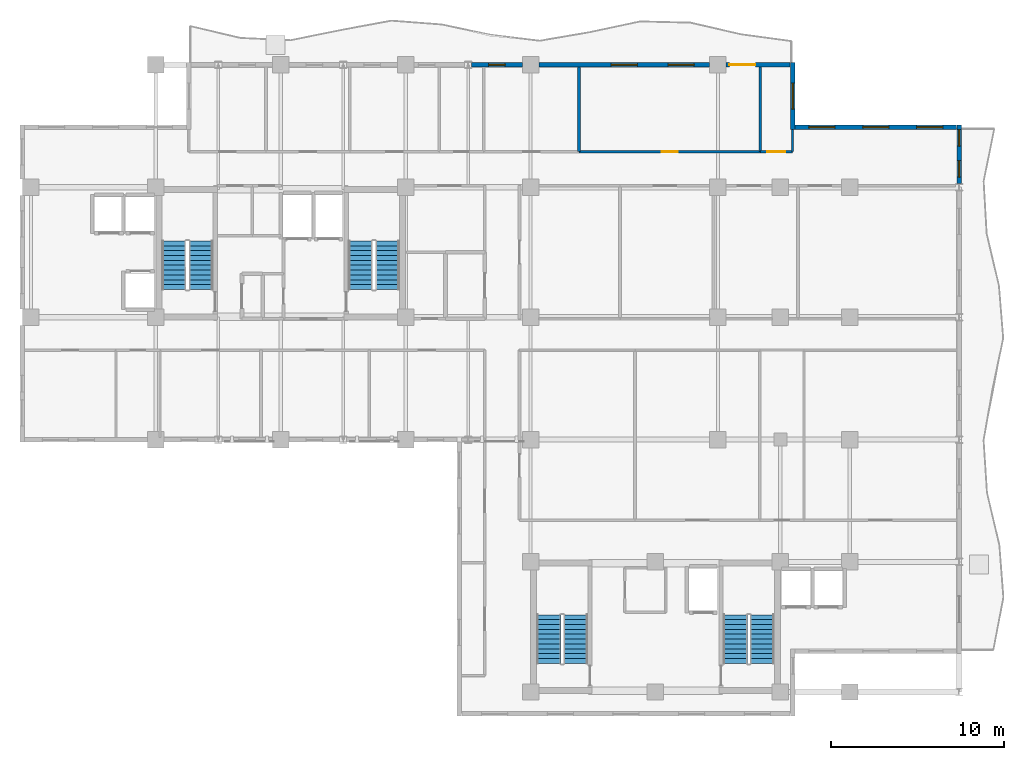
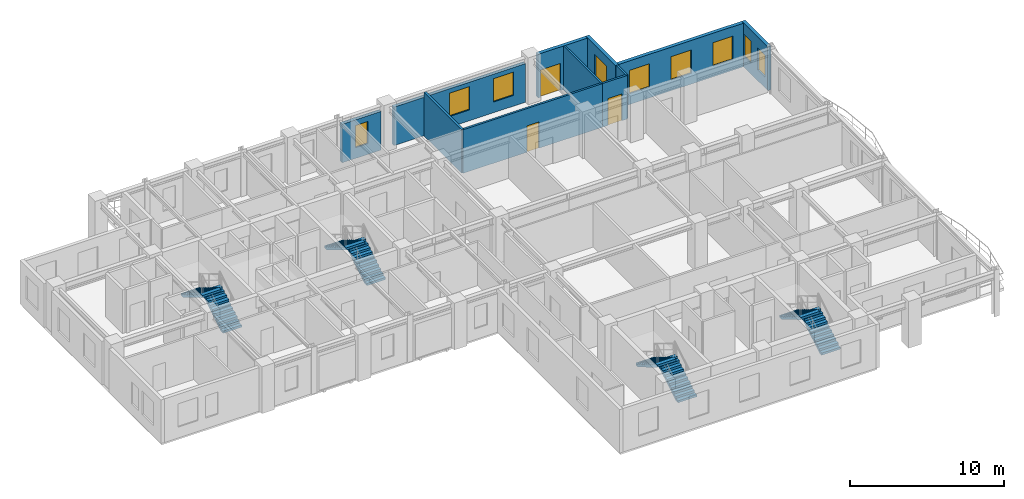
# One storey, part 10 of 14: 11 walls, 9 windows, 8 stair flights, 3 doors, 12 openings, 4 elements without a shape of their own.
"""IFC4 building model written with IfcOpenShell, lengths in metres."""

from ifc_helpers import new_model, si_unit, direction, frame, frame_2d, origin, place, context, subcontext, project, spatial, polyline, rectangle, outline, extrude, material, layer, layer_set, type_object, element, fill, aggregate, save


model = new_model("IFC4")

# Units and contexts
model_context = context("Model", 3, precision=1e-05, world=origin(), true_north=direction((0.0, 1.0)))
body_context = subcontext(model_context, "Body", "Model", "MODEL_VIEW")
ifc_project = project(units=[si_unit("LENGTHUNIT", "METRE"), si_unit("AREAUNIT", "SQUARE_METRE"), si_unit("VOLUMEUNIT", "CUBIC_METRE"), si_unit("PLANEANGLEUNIT", "RADIAN"), si_unit("MASSUNIT", "GRAM", prefix="KILO")], contexts=[model_context])

# Site, building, storey
site_placement = place(None, origin())
site = spatial("IfcSite", under=ifc_project, at=site_placement, CompositionType="ELEMENT")
building_placement = place(site_placement, origin())
building = spatial("IfcBuilding", under=site, at=building_placement, Name="Kaliganga Portal Commons", CompositionType="ELEMENT")
storey_placement = place(building_placement, frame((0.0, 0.0, 227.699951171875)))
storey = spatial("IfcBuildingStorey", under=building, at=storey_placement, Name="L58", CompositionType="ELEMENT", Elevation=227.699951171875)

# Wall, openings, windows
ifc_material_1 = material(Name="Insulated Aluminium-Clad Spandrel Assembly", Category="aluminium")
ifc_layer_1 = layer(ifc_material_1, 0.260009765625)
ifc_layer_set_1 = layer_set([ifc_layer_1], Name="Insulated Aluminium-Clad Spandrel Assembly")
wall_type_1 = type_object("IfcWallType", Name="WL-EXT-SPAND-260", PredefinedType="STANDARD", material=ifc_layer_set_1)
wall_1_placement = place(storey_placement, frame((60.699951171875, 39.72998046875, 0.0), z_axis=(0.0, 0.0, 1.0), x_axis=(0.0, -1.0, 0.0)))
wall_1 = element("IfcWall", 1, at=wall_1_placement, inside=storey, type_object=wall_type_1, Name="Exterior Envelope Wall L58 P1-E03-S5", PredefinedType="STANDARD", context=body_context, shape_type="SweptSolid", body=[
    extrude(rectangle(XDim=3.37890625, YDim=0.260009765625, at=frame_2d((1.689453125, 0.0))), origin(), (0.0, 0.0, 1.0), 3.449951171875),
])
opening_1_placement = place(wall_1_placement, frame((2.052490234375, 0.0, 0.85009765625)))
opening_1 = element("IfcOpeningElement", 2, at=opening_1_placement, cuts=wall_1, Name="Opening W-04", PredefinedType="OPENING", context=body_context, shape_type="SweptSolid", body=[
    extrude(rectangle(XDim=0.949951171875, YDim=1.75, at=frame_2d((0.47509765625, 0.875))), frame((0.0, 0.14013671875, 0.0), z_axis=(0.0, -1.0, 0.0), x_axis=(1.0, 0.0, 0.0)), (0.0, 0.0, 1.0), 0.280029296875),
])
opening_2_placement = place(wall_1_placement, frame((0.268310546875, 0.0, 0.85009765625)))
opening_2 = element("IfcOpeningElement", 3, at=opening_2_placement, cuts=wall_1, Name="Opening W-04", PredefinedType="OPENING", context=body_context, shape_type="SweptSolid", body=[
    extrude(rectangle(XDim=0.949951171875, YDim=1.75, at=frame_2d((0.47509765625, 0.875))), frame((0.0, 0.14013671875, 0.0), z_axis=(0.0, -1.0, 0.0), x_axis=(1.0, 0.0, 0.0)), (0.0, 0.0, 1.0), 0.280029296875),
])
ifc_material_2 = material(Name="Thermally Broken Aluminium and Low-E Double Glazing", Category="aluminium")
window_type_1 = type_object("IfcWindowType", Name="WIN-NARROW-950", PartitioningType="SINGLE_PANEL", PredefinedType="WINDOW", material=ifc_material_2)
window_1_placement = place(opening_1_placement, origin())
window_1 = element("IfcWindow", 4, at=window_1_placement, inside=storey, type_object=window_type_1, Name="Facade Window L58-P1E03S5-N2", OverallHeight=1.75, OverallWidth=0.949951171875, PartitioningType="SINGLE_PANEL", PredefinedType="WINDOW", context=body_context, shape_type="SweptSolid", body=[
    extrude(rectangle(XDim=0.949951171875, YDim=1.75, at=frame_2d((0.47509765625, 0.875))), frame((0.0, 0.030029296875, 0.0), z_axis=(0.0, -1.0, 0.0), x_axis=(1.0, 0.0, 0.0)), (0.0, 0.0, 1.0), 0.06005859375),
])
fill(opening_1, window_1)
window_2_placement = place(opening_2_placement, origin())
window_2 = element("IfcWindow", 5, at=window_2_placement, inside=storey, type_object=window_type_1, Name="Facade Window L58-P1E03S5-N9", OverallHeight=1.75, OverallWidth=0.949951171875, PartitioningType="SINGLE_PANEL", PredefinedType="WINDOW", context=body_context, shape_type="SweptSolid", body=[
    extrude(rectangle(XDim=0.949951171875, YDim=1.75, at=frame_2d((0.47509765625, 0.875))), frame((0.0, 0.030029296875, 0.0), z_axis=(0.0, -1.0, 0.0), x_axis=(1.0, 0.0, 0.0)), (0.0, 0.0, 1.0), 0.06005859375),
])
fill(opening_2, window_2)

wall_2_placement = place(storey_placement, frame((51.235107421875, 39.60009765625, 0.0), z_axis=(0.0, 0.0, 1.0), x_axis=(1.0, 0.0, 0.0)))
wall_2 = element("IfcWall", 6, at=wall_2_placement, inside=storey, type_object=wall_type_1, Name="Exterior Envelope Wall L58 P1-E04-S1", PredefinedType="STANDARD", context=body_context, shape_type="SweptSolid", body=[
    extrude(rectangle(XDim=9.329833984375, YDim=0.260009765625, at=frame_2d((4.6650390625, 0.0))), origin(), (0.0, 0.0, 1.0), 3.449951171875),
])
opening_3_placement = place(wall_2_placement, frame((0.804931640625, 0.0, 0.85009765625)))
opening_3 = element("IfcOpeningElement", 7, at=opening_3_placement, cuts=wall_2, Name="Opening W-02", PredefinedType="OPENING", context=body_context, shape_type="SweptSolid", body=[
    extrude(rectangle(XDim=1.5, YDim=1.85009765625, at=frame_2d((0.75, 0.925048828125))), frame((0.0, 0.14013671875, 0.0), z_axis=(0.0, -1.0, 0.0), x_axis=(1.0, 0.0, 0.0)), (0.0, 0.0, 1.0), 0.280029296875),
])
opening_4_placement = place(wall_2_placement, frame((3.9150390625, 0.0, 0.85009765625)))
opening_4 = element("IfcOpeningElement", 8, at=opening_4_placement, cuts=wall_2, Name="Opening W-02", PredefinedType="OPENING", context=body_context, shape_type="SweptSolid", body=[
    extrude(rectangle(XDim=1.5, YDim=1.85009765625, at=frame_2d((0.75, 0.925048828125))), frame((0.0, 0.14013671875, 0.0), z_axis=(0.0, -1.0, 0.0), x_axis=(1.0, 0.0, 0.0)), (0.0, 0.0, 1.0), 0.280029296875),
])
opening_5_placement = place(wall_2_placement, frame((7.02490234375, 0.0, 0.85009765625)))
opening_5 = element("IfcOpeningElement", 9, at=opening_5_placement, cuts=wall_2, Name="Opening W-02", PredefinedType="OPENING", context=body_context, shape_type="SweptSolid", body=[
    extrude(rectangle(XDim=1.5, YDim=1.85009765625, at=frame_2d((0.75, 0.925048828125))), frame((0.0, 0.14013671875, 0.0), z_axis=(0.0, -1.0, 0.0), x_axis=(1.0, 0.0, 0.0)), (0.0, 0.0, 1.0), 0.280029296875),
])
window_type_2 = type_object("IfcWindowType", Name="WIN-STD-1500", PartitioningType="DOUBLE_PANEL_VERTICAL", PredefinedType="WINDOW", material=ifc_material_2)
window_3_placement = place(opening_3_placement, origin())
window_3 = element("IfcWindow", 10, at=window_3_placement, inside=storey, type_object=window_type_2, Name="Facade Window L58-P1E04S1-00", OverallHeight=1.85009765625, OverallWidth=1.5, PartitioningType="SINGLE_PANEL", PredefinedType="WINDOW", context=body_context, shape_type="SweptSolid", body=[
    extrude(rectangle(XDim=1.5, YDim=1.85009765625, at=frame_2d((0.75, 0.925048828125))), frame((0.0, 0.030029296875, 0.0), z_axis=(0.0, -1.0, 0.0), x_axis=(1.0, 0.0, 0.0)), (0.0, 0.0, 1.0), 0.06005859375),
])
fill(opening_3, window_3)
window_4_placement = place(opening_4_placement, origin())
window_4 = element("IfcWindow", 11, at=window_4_placement, inside=storey, type_object=window_type_2, Name="Facade Window L58-P1E04S1-01", OverallHeight=1.85009765625, OverallWidth=1.5, PartitioningType="SINGLE_PANEL", PredefinedType="WINDOW", context=body_context, shape_type="SweptSolid", body=[
    extrude(rectangle(XDim=1.5, YDim=1.85009765625, at=frame_2d((0.75, 0.925048828125))), frame((0.0, 0.030029296875, 0.0), z_axis=(0.0, -1.0, 0.0), x_axis=(1.0, 0.0, 0.0)), (0.0, 0.0, 1.0), 0.06005859375),
])
fill(opening_4, window_4)
window_5_placement = place(opening_5_placement, origin())
window_5 = element("IfcWindow", 12, at=window_5_placement, inside=storey, type_object=window_type_2, Name="Facade Window L58-P1E04S1-02", OverallHeight=1.85009765625, OverallWidth=1.5, PartitioningType="SINGLE_PANEL", PredefinedType="WINDOW", context=body_context, shape_type="SweptSolid", body=[
    extrude(rectangle(XDim=1.5, YDim=1.85009765625, at=frame_2d((0.75, 0.925048828125))), frame((0.0, 0.030029296875, 0.0), z_axis=(0.0, -1.0, 0.0), x_axis=(1.0, 0.0, 0.0)), (0.0, 0.0, 1.0), 0.06005859375),
])
fill(opening_5, window_5)

# Wall, opening, window
wall_3_placement = place(storey_placement, frame((51.10009765625, 43.330078125, 0.0), z_axis=(0.0, 0.0, 1.0), x_axis=(0.0, -1.0, 0.0)))
wall_3 = element("IfcWall", 13, at=wall_3_placement, inside=storey, type_object=wall_type_1, Name="Exterior Envelope Wall L58 P1-E05-S1", PredefinedType="STANDARD", context=body_context, shape_type="SweptSolid", body=[
    extrude(rectangle(XDim=3.860107421875, YDim=0.260009765625, at=frame_2d((1.93017578125, 0.0))), origin(), (0.0, 0.0, 1.0), 3.449951171875),
])
opening_6_placement = place(wall_3_placement, frame((1.179931640625, 0.0, 0.85009765625)))
opening_6 = element("IfcOpeningElement", 14, at=opening_6_placement, cuts=wall_3, Name="Opening W-02", PredefinedType="OPENING", context=body_context, shape_type="SweptSolid", body=[
    extrude(rectangle(XDim=1.5, YDim=1.85009765625, at=frame_2d((0.75, 0.925048828125))), frame((0.0, 0.14013671875, 0.0), z_axis=(0.0, -1.0, 0.0), x_axis=(1.0, 0.0, 0.0)), (0.0, 0.0, 1.0), 0.280029296875),
])
window_6_placement = place(opening_6_placement, origin())
window_6 = element("IfcWindow", 15, at=window_6_placement, inside=storey, type_object=window_type_2, Name="Facade Window L58-P1E05S1-00", OverallHeight=1.85009765625, OverallWidth=1.5, PartitioningType="SINGLE_PANEL", PredefinedType="WINDOW", context=body_context, shape_type="SweptSolid", body=[
    extrude(rectangle(XDim=1.5, YDim=1.85009765625, at=frame_2d((0.75, 0.925048828125))), frame((0.0, 0.030029296875, 0.0), z_axis=(0.0, -1.0, 0.0), x_axis=(1.0, 0.0, 0.0)), (0.0, 0.0, 1.0), 0.06005859375),
])
fill(opening_6, window_6)

# Wall, opening, door
wall_4_placement = place(storey_placement, frame((47.27587890625, 43.199951171875, 0.0), z_axis=(0.0, 0.0, 1.0), x_axis=(1.0, 0.0, 0.0)))
wall_4 = element("IfcWall", 16, at=wall_4_placement, inside=storey, type_object=wall_type_1, Name="Exterior Envelope Wall L58 P1-E06-S1", PredefinedType="STANDARD", context=body_context, shape_type="SweptSolid", body=[
    extrude(rectangle(XDim=3.689208984375, YDim=0.260009765625, at=frame_2d((1.8447265625, 0.0))), origin(), (0.0, 0.0, 1.0), 3.449951171875),
])
opening_7_placement = place(wall_4_placement, frame((0.179931640625, 0.0, 0.0)))
opening_7 = element("IfcOpeningElement", 17, at=opening_7_placement, cuts=wall_4, Name="Opening BD-01", PredefinedType="OPENING", context=body_context, shape_type="SweptSolid", body=[
    extrude(rectangle(XDim=1.5, YDim=2.14990234375, at=frame_2d((0.75, 1.074951171875))), frame((0.0, 0.14013671875, 0.0), z_axis=(0.0, -1.0, 0.0), x_axis=(1.0, 0.0, 0.0)), (0.0, 0.0, 1.0), 0.280029296875),
])
ifc_material_3 = material(Name="Anodized Aluminium and Laminated Safety Glass", Category="aluminium")
door_type_1 = type_object("IfcDoorType", Name="DR-BALC-1500", OperationType="SLIDING_TO_LEFT", PredefinedType="DOOR", material=ifc_material_3)
door_1_placement = place(opening_7_placement, origin())
door_1 = element("IfcDoor", 18, at=door_1_placement, inside=storey, type_object=door_type_1, Name="Balcony Sliding Door L58 balc_north", OperationType="SLIDING_TO_LEFT", OverallHeight=2.14990234375, OverallWidth=1.5, PredefinedType="DOOR", context=body_context, shape_type="SweptSolid", body=[
    extrude(rectangle(XDim=1.5, YDim=2.14990234375, at=frame_2d((0.75, 1.074951171875))), frame((0.0, 0.02490234375, 0.0), z_axis=(0.0, -1.0, 0.0), x_axis=(1.0, 0.0, 0.0)), (0.0, 0.0, 1.0), 0.050048828125),
])
fill(opening_7, door_1)

# Wall, openings, windows
wall_5_placement = place(storey_placement, frame((36.47607421875, 43.199951171875, 0.0), z_axis=(0.0, 0.0, 1.0), x_axis=(1.0, 0.0, 0.0)))
wall_5 = element("IfcWall", 19, at=wall_5_placement, inside=storey, type_object=wall_type_1, Name="Exterior Envelope Wall L58 P1-E06-S2", PredefinedType="STANDARD", context=body_context, shape_type="SweptSolid", body=[
    extrude(rectangle(XDim=9.847900390625, YDim=0.260009765625, at=frame_2d((4.923828125, 0.0))), origin(), (0.0, 0.0, 1.0), 3.050048828125),
])
opening_8_placement = place(wall_5_placement, frame((4.174072265625, 0.0, 0.85009765625)))
opening_8 = element("IfcOpeningElement", 20, at=opening_8_placement, cuts=wall_5, Name="Opening W-02", PredefinedType="OPENING", context=body_context, shape_type="SweptSolid", body=[
    extrude(rectangle(XDim=1.5, YDim=1.85009765625, at=frame_2d((0.75, 0.925048828125))), frame((0.0, 0.14013671875, 0.0), z_axis=(0.0, -1.0, 0.0), x_axis=(1.0, 0.0, 0.0)), (0.0, 0.0, 1.0), 0.280029296875),
])
opening_9_placement = place(wall_5_placement, frame((7.456787109375, 0.0, 0.85009765625)))
opening_9 = element("IfcOpeningElement", 21, at=opening_9_placement, cuts=wall_5, Name="Opening W-02", PredefinedType="OPENING", context=body_context, shape_type="SweptSolid", body=[
    extrude(rectangle(XDim=1.5, YDim=1.85009765625, at=frame_2d((0.75, 0.925048828125))), frame((0.0, 0.14013671875, 0.0), z_axis=(0.0, -1.0, 0.0), x_axis=(1.0, 0.0, 0.0)), (0.0, 0.0, 1.0), 0.280029296875),
])
window_7_placement = place(opening_8_placement, origin())
window_7 = element("IfcWindow", 22, at=window_7_placement, inside=storey, type_object=window_type_2, Name="Facade Window L58-P1E06S2-01", OverallHeight=1.85009765625, OverallWidth=1.5, PartitioningType="SINGLE_PANEL", PredefinedType="WINDOW", context=body_context, shape_type="SweptSolid", body=[
    extrude(rectangle(XDim=1.5, YDim=1.85009765625, at=frame_2d((0.75, 0.925048828125))), frame((0.0, 0.030029296875, 0.0), z_axis=(0.0, -1.0, 0.0), x_axis=(1.0, 0.0, 0.0)), (0.0, 0.0, 1.0), 0.06005859375),
])
fill(opening_8, window_7)
window_8_placement = place(opening_9_placement, origin())
window_8 = element("IfcWindow", 23, at=window_8_placement, inside=storey, type_object=window_type_2, Name="Facade Window L58-P1E06S2-02", OverallHeight=1.85009765625, OverallWidth=1.5, PartitioningType="SINGLE_PANEL", PredefinedType="WINDOW", context=body_context, shape_type="SweptSolid", body=[
    extrude(rectangle(XDim=1.5, YDim=1.85009765625, at=frame_2d((0.75, 0.925048828125))), frame((0.0, 0.030029296875, 0.0), z_axis=(0.0, -1.0, 0.0), x_axis=(1.0, 0.0, 0.0)), (0.0, 0.0, 1.0), 0.06005859375),
])
fill(opening_9, window_8)

# Wall, opening, window
wall_6_placement = place(storey_placement, frame((32.6005859375, 43.199951171875, 0.0), z_axis=(0.0, 0.0, 1.0), x_axis=(1.0, 0.0, 0.0)))
wall_6 = element("IfcWall", 24, at=wall_6_placement, inside=storey, type_object=wall_type_1, Name="Exterior Envelope Wall L58 P1-E06-S3", PredefinedType="STANDARD", context=body_context, shape_type="SweptSolid", body=[
    extrude(rectangle(XDim=2.92333984375, YDim=0.260009765625, at=frame_2d((1.461669921875, 0.0))), origin(), (0.0, 0.0, 1.0), 3.050048828125),
])
opening_10_placement = place(wall_6_placement, frame((0.98681640625, 0.0, 0.85009765625)))
opening_10 = element("IfcOpeningElement", 25, at=opening_10_placement, cuts=wall_6, Name="Opening W-04", PredefinedType="OPENING", context=body_context, shape_type="SweptSolid", body=[
    extrude(rectangle(XDim=0.949951171875, YDim=1.75, at=frame_2d((0.47509765625, 0.875))), frame((0.0, 0.14013671875, 0.0), z_axis=(0.0, -1.0, 0.0), x_axis=(1.0, 0.0, 0.0)), (0.0, 0.0, 1.0), 0.280029296875),
])
window_9_placement = place(opening_10_placement, origin())
window_9 = element("IfcWindow", 26, at=window_9_placement, inside=storey, type_object=window_type_1, Name="Facade Window L58-P1E06S3-00", OverallHeight=1.75, OverallWidth=0.949951171875, PartitioningType="SINGLE_PANEL", PredefinedType="WINDOW", context=body_context, shape_type="SweptSolid", body=[
    extrude(rectangle(XDim=0.949951171875, YDim=1.75, at=frame_2d((0.47509765625, 0.875))), frame((0.0, 0.030029296875, 0.0), z_axis=(0.0, -1.0, 0.0), x_axis=(1.0, 0.0, 0.0)), (0.0, 0.0, 1.0), 0.06005859375),
])
fill(opening_10, window_9)

# Wall, opening, door
ifc_material_4 = material(Name="Fire-Rated Gypsum Board on Steel Stud", Category="steel")
ifc_layer_2 = layer(ifc_material_4, 0.14990234375)
ifc_layer_set_2 = layer_set([ifc_layer_2], Name="Fire-Rated Gypsum Board on Steel Stud")
wall_type_2 = type_object("IfcWallType", Name="WL-PART-CORR-150", PredefinedType="PARTITIONING", material=ifc_layer_set_2)
wall_7_placement = place(storey_placement, frame((38.800048828125, 38.199951171875, 0.0), z_axis=(0.0, 0.0, 1.0), x_axis=(1.0, 0.0, 0.0)))
wall_7 = element("IfcWall", 27, at=wall_7_placement, inside=storey, type_object=wall_type_2, Name="Interior Partition L58-001", PredefinedType="PARTITIONING", context=body_context, shape_type="SweptSolid", body=[
    extrude(rectangle(XDim=10.43994140625, YDim=0.14990234375, at=frame_2d((5.219970703125, 0.0))), origin(), (0.0, 0.0, 1.0), 3.449951171875),
])
opening_11_placement = place(wall_7_placement, frame((4.77001953125, 0.0, 0.0)))
opening_11 = element("IfcOpeningElement", 28, at=opening_11_placement, cuts=wall_7, Name="Opening RD-01", PredefinedType="OPENING", context=body_context, shape_type="SweptSolid", body=[
    extrude(rectangle(XDim=0.89990234375, YDim=2.080078125, at=frame_2d((0.449951171875, 1.0400390625))), frame((0.0, 0.0849609375, 0.0), z_axis=(0.0, -1.0, 0.0), x_axis=(1.0, 0.0, 0.0)), (0.0, 0.0, 1.0), 0.169921875),
])
ifc_material_5 = material(Name="Engineered Timber Flush Door", Category="wood")
door_type_2 = type_object("IfcDoorType", Name="DR-ROOM-900", OperationType="NOTDEFINED", PredefinedType="DOOR", material=ifc_material_5)
door_2_placement = place(opening_11_placement, origin())
door_2 = element("IfcDoor", 29, at=door_2_placement, inside=storey, type_object=door_type_2, Name="Interior Door L58-AN06", OperationType="SINGLE_SWING_LEFT", OverallHeight=2.080078125, OverallWidth=0.89990234375, PredefinedType="DOOR", context=body_context, shape_type="SweptSolid", body=[
    extrude(rectangle(XDim=0.89990234375, YDim=2.080078125, at=frame_2d((0.449951171875, 1.0400390625))), frame((0.0, 0.02490234375, 0.0), z_axis=(0.0, -1.0, 0.0), x_axis=(1.0, 0.0, 0.0)), (0.0, 0.0, 1.0), 0.050048828125),
])
fill(opening_11, door_2)

wall_8_placement = place(storey_placement, frame((49.239990234375, 38.199951171875, 0.0), z_axis=(0.0, 0.0, 1.0), x_axis=(1.0, 0.0, 0.0)))
wall_8 = element("IfcWall", 30, at=wall_8_placement, inside=storey, type_object=wall_type_2, Name="Interior Partition L58-038", PredefinedType="PARTITIONING", context=body_context, shape_type="SweptSolid", body=[
    extrude(rectangle(XDim=1.860107421875, YDim=0.14990234375, at=frame_2d((0.93017578125, 0.0))), origin(), (0.0, 0.0, 1.0), 3.449951171875),
])
opening_12_placement = place(wall_8_placement, frame((0.405029296875, 0.0, 0.0)))
opening_12 = element("IfcOpeningElement", 31, at=opening_12_placement, cuts=wall_8, Name="Opening UD-02", PredefinedType="OPENING", context=body_context, shape_type="SweptSolid", body=[
    extrude(rectangle(XDim=1.050048828125, YDim=2.1201171875, at=frame_2d((0.52490234375, 1.06005859375))), frame((0.0, 0.0849609375, 0.0), z_axis=(0.0, -1.0, 0.0), x_axis=(1.0, 0.0, 0.0)), (0.0, 0.0, 1.0), 0.169921875),
])
ifc_material_6 = material(Name="Accessible Wide-Leaf Acoustic Fire Door", Category="wood")
door_type_3 = type_object("IfcDoorType", Name="DR-ACC-1050", OperationType="NOTDEFINED", PredefinedType="DOOR", material=ifc_material_6)
door_3_placement = place(opening_12_placement, origin())
door_3 = element("IfcDoor", 32, at=door_3_placement, inside=storey, type_object=door_type_3, Name="Interior Door L58-AN07", OperationType="SINGLE_SWING_LEFT", OverallHeight=2.1201171875, OverallWidth=1.050048828125, PredefinedType="DOOR", context=body_context, shape_type="SweptSolid", body=[
    extrude(rectangle(XDim=1.050048828125, YDim=2.1201171875, at=frame_2d((0.52490234375, 1.06005859375))), frame((0.0, 0.02490234375, 0.0), z_axis=(0.0, -1.0, 0.0), x_axis=(1.0, 0.0, 0.0)), (0.0, 0.0, 1.0), 0.050048828125),
])
fill(opening_12, door_3)

# Walls
ifc_material_7 = material(Name="Twin-Stud Acoustic Gypsum Partition", Category="gypsum")
ifc_layer_3 = layer(ifc_material_7, 0.1650390625)
ifc_layer_set_3 = layer_set([ifc_layer_3], Name="Twin-Stud Acoustic Gypsum Partition")
wall_type_3 = type_object("IfcWallType", Name="WL-PART-UNIT-165", PredefinedType="PARTITIONING", material=ifc_layer_set_3)
wall_9_placement = place(storey_placement, frame((38.800048828125, 38.199951171875, 0.0), z_axis=(0.0, 0.0, 1.0), x_axis=(0.0, 1.0, 0.0)))
element("IfcWall", 33, at=wall_9_placement, inside=storey, type_object=wall_type_3, Name="Interior Partition L58-067", PredefinedType="PARTITIONING", context=body_context, shape_type="SweptSolid", body=[
    extrude(rectangle(XDim=4.8681640625, YDim=0.1650390625, at=frame_2d((2.43408203125, 0.0))), origin(), (0.0, 0.0, 1.0), 3.449951171875),
])
ifc_material_8 = material(Name="Cement-Board Wet-Room Partition", Category="gypsum")
ifc_layer_4 = layer(ifc_material_8, 0.135009765625)
ifc_layer_set_4 = layer_set([ifc_layer_4], Name="Cement-Board Wet-Room Partition")
wall_type_4 = type_object("IfcWallType", Name="WL-PART-WET-135", PredefinedType="PARTITIONING", material=ifc_layer_set_4)
wall_10_placement = place(storey_placement, frame((49.239990234375, 38.199951171875, 0.0), z_axis=(0.0, 0.0, 1.0), x_axis=(0.0, 1.0, 0.0)))
element("IfcWall", 34, at=wall_10_placement, inside=storey, type_object=wall_type_4, Name="Interior Partition L58-068", PredefinedType="PARTITIONING", context=body_context, shape_type="SweptSolid", body=[
    extrude(rectangle(XDim=4.8681640625, YDim=0.135009765625, at=frame_2d((2.43408203125, 0.0))), origin(), (0.0, 0.0, 1.0), 3.449951171875),
])
wall_11_placement = place(storey_placement, frame((51.10009765625, 38.199951171875, 0.0), z_axis=(0.0, 0.0, 1.0), x_axis=(0.0, 1.0, 0.0)))
element("IfcWall", 35, at=wall_11_placement, inside=storey, type_object=wall_type_4, Name="Interior Partition L58-069", PredefinedType="PARTITIONING", context=body_context, shape_type="SweptSolid", body=[
    extrude(rectangle(XDim=1.26806640625, YDim=0.135009765625, at=frame_2d((0.634033203125, 0.0))), origin(), (0.0, 0.0, 1.0), 3.449951171875),
])

# Stair, stair flights
ifc_material_9 = material(Name="Concrete C40/50", Category="concrete")
stair_type = type_object("IfcStairType", Name="ST-CORE-DOGLEG", PredefinedType="HALF_TURN_STAIR", material=ifc_material_9)
stair_1_placement = place(storey_placement, origin())
stair_1 = element("IfcStair", 36, at=stair_1_placement, inside=storey, type_object=stair_type, Name="L58 Protected Exit Stair ST-A1", PredefinedType="HALF_TURN_STAIR")
stair_flight_type = type_object("IfcStairFlightType", Name="STF-RC-1400", PredefinedType="STRAIGHT", material=ifc_material_9)
stair_flight_1_placement = place(storey_placement, frame((17.0, 30.25, 0.0), z_axis=(0.0, 0.0, 1.0), x_axis=(0.0, 1.0, 0.0)))
stair_flight_1 = element("IfcStairFlight", 37, at=stair_flight_1_placement, type_object=stair_flight_type, Name="ST-A1 flight 1", NumberOfRisers=11, NumberOfTreads=10, PredefinedType="STRAIGHT", RiserHeight=0.168181818, TreadLength=0.28, context=body_context, shape_type="SweptSolid", body=[
    extrude(outline(polyline([(0.0, 0.0), (0.0, 0.168212890625), (0.280029296875, 0.168212890625), (0.280029296875, 0.33642578125), (0.56005859375, 0.33642578125), (0.56005859375, 0.504638671875), (0.840087890625, 0.504638671875), (0.840087890625, 0.672607421875), (1.1201171875, 0.672607421875), (1.1201171875, 0.8408203125), (1.39990234375, 0.8408203125), (1.39990234375, 1.009033203125), (1.679931640625, 1.009033203125), (1.679931640625, 1.17724609375), (1.9599609375, 1.17724609375), (1.9599609375, 1.345458984375), (2.239990234375, 1.345458984375), (2.239990234375, 1.513671875), (2.52001953125, 1.513671875), (2.52001953125, 1.681884765625), (2.800048828125, 1.681884765625), (2.800048828125, 1.85009765625), (2.800048828125, 1.5068359375), (0.291015625, 0.0), (0.0, 0.0)])), frame((0.0, 0.699951171875, 0.0), z_axis=(0.0, -1.0, 0.0), x_axis=(1.0, 0.0, 0.0)), (0.0, 0.0, 1.0), 1.39990234375),
])
stair_flight_2_placement = place(storey_placement, frame((15.449951171875, 33.050048828125, 1.85009765625), z_axis=(0.0, 0.0, 1.0), x_axis=(0.0, -1.0, 0.0)))
stair_flight_2 = element("IfcStairFlight", 38, at=stair_flight_2_placement, type_object=stair_flight_type, Name="ST-A1 flight 2", NumberOfRisers=11, NumberOfTreads=10, PredefinedType="STRAIGHT", RiserHeight=0.168181818, TreadLength=0.28, context=body_context, shape_type="SweptSolid", body=[
    extrude(outline(polyline([(0.0, 0.0), (0.0, 0.168212890625), (0.280029296875, 0.168212890625), (0.280029296875, 0.33642578125), (0.56005859375, 0.33642578125), (0.56005859375, 0.504638671875), (0.840087890625, 0.504638671875), (0.840087890625, 0.672607421875), (1.1201171875, 0.672607421875), (1.1201171875, 0.8408203125), (1.39990234375, 0.8408203125), (1.39990234375, 1.009033203125), (1.679931640625, 1.009033203125), (1.679931640625, 1.17724609375), (1.9599609375, 1.17724609375), (1.9599609375, 1.345458984375), (2.239990234375, 1.345458984375), (2.239990234375, 1.513671875), (2.52001953125, 1.513671875), (2.52001953125, 1.681884765625), (2.800048828125, 1.681884765625), (2.800048828125, 1.85009765625), (2.800048828125, 1.5068359375), (0.291015625, 0.0), (0.0, 0.0)])), frame((0.0, 0.699951171875, 0.0), z_axis=(0.0, -1.0, 0.0), x_axis=(1.0, 0.0, 0.0)), (0.0, 0.0, 1.0), 1.39990234375),
])
aggregate(stair_1, [stair_flight_1, stair_flight_2])

stair_2_placement = place(storey_placement, origin())
stair_2 = element("IfcStair", 39, at=stair_2_placement, inside=storey, type_object=stair_type, Name="L58 Protected Exit Stair ST-A2", PredefinedType="HALF_TURN_STAIR")
stair_flight_3_placement = place(storey_placement, frame((27.75, 30.25, 0.0), z_axis=(0.0, 0.0, 1.0), x_axis=(0.0, 1.0, 0.0)))
stair_flight_3 = element("IfcStairFlight", 40, at=stair_flight_3_placement, type_object=stair_flight_type, Name="ST-A2 flight 1", NumberOfRisers=11, NumberOfTreads=10, PredefinedType="STRAIGHT", RiserHeight=0.168181818, TreadLength=0.28, context=body_context, shape_type="SweptSolid", body=[
    extrude(outline(polyline([(0.0, 0.0), (0.0, 0.168212890625), (0.280029296875, 0.168212890625), (0.280029296875, 0.33642578125), (0.56005859375, 0.33642578125), (0.56005859375, 0.504638671875), (0.840087890625, 0.504638671875), (0.840087890625, 0.672607421875), (1.1201171875, 0.672607421875), (1.1201171875, 0.8408203125), (1.39990234375, 0.8408203125), (1.39990234375, 1.009033203125), (1.679931640625, 1.009033203125), (1.679931640625, 1.17724609375), (1.9599609375, 1.17724609375), (1.9599609375, 1.345458984375), (2.239990234375, 1.345458984375), (2.239990234375, 1.513671875), (2.52001953125, 1.513671875), (2.52001953125, 1.681884765625), (2.800048828125, 1.681884765625), (2.800048828125, 1.85009765625), (2.800048828125, 1.5068359375), (0.291015625, 0.0), (0.0, 0.0)])), frame((0.0, 0.699951171875, 0.0), z_axis=(0.0, -1.0, 0.0), x_axis=(1.0, 0.0, 0.0)), (0.0, 0.0, 1.0), 1.39990234375),
])
stair_flight_4_placement = place(storey_placement, frame((26.199951171875, 33.050048828125, 1.85009765625), z_axis=(0.0, 0.0, 1.0), x_axis=(0.0, -1.0, 0.0)))
stair_flight_4 = element("IfcStairFlight", 41, at=stair_flight_4_placement, type_object=stair_flight_type, Name="ST-A2 flight 2", NumberOfRisers=11, NumberOfTreads=10, PredefinedType="STRAIGHT", RiserHeight=0.168181818, TreadLength=0.28, context=body_context, shape_type="SweptSolid", body=[
    extrude(outline(polyline([(0.0, 0.0), (0.0, 0.168212890625), (0.280029296875, 0.168212890625), (0.280029296875, 0.33642578125), (0.56005859375, 0.33642578125), (0.56005859375, 0.504638671875), (0.840087890625, 0.504638671875), (0.840087890625, 0.672607421875), (1.1201171875, 0.672607421875), (1.1201171875, 0.8408203125), (1.39990234375, 0.8408203125), (1.39990234375, 1.009033203125), (1.679931640625, 1.009033203125), (1.679931640625, 1.17724609375), (1.9599609375, 1.17724609375), (1.9599609375, 1.345458984375), (2.239990234375, 1.345458984375), (2.239990234375, 1.513671875), (2.52001953125, 1.513671875), (2.52001953125, 1.681884765625), (2.800048828125, 1.681884765625), (2.800048828125, 1.85009765625), (2.800048828125, 1.5068359375), (0.291015625, 0.0), (0.0, 0.0)])), frame((0.0, 0.699951171875, 0.0), z_axis=(0.0, -1.0, 0.0), x_axis=(1.0, 0.0, 0.0)), (0.0, 0.0, 1.0), 1.39990234375),
])
aggregate(stair_2, [stair_flight_3, stair_flight_4])

stair_3_placement = place(storey_placement, origin())
stair_3 = element("IfcStair", 42, at=stair_3_placement, inside=storey, type_object=stair_type, Name="L58 Protected Exit Stair ST-B1", PredefinedType="HALF_TURN_STAIR")
stair_flight_5_placement = place(storey_placement, frame((38.60009765625, 8.699951171875, 0.0), z_axis=(0.0, 0.0, 1.0), x_axis=(0.0, 1.0, 0.0)))
stair_flight_5 = element("IfcStairFlight", 43, at=stair_flight_5_placement, type_object=stair_flight_type, Name="ST-B1 flight 1", NumberOfRisers=11, NumberOfTreads=10, PredefinedType="STRAIGHT", RiserHeight=0.168181818, TreadLength=0.28, context=body_context, shape_type="SweptSolid", body=[
    extrude(outline(polyline([(0.0, 0.0), (0.0, 0.168212890625), (0.280029296875, 0.168212890625), (0.280029296875, 0.33642578125), (0.56005859375, 0.33642578125), (0.56005859375, 0.504638671875), (0.840087890625, 0.504638671875), (0.840087890625, 0.672607421875), (1.1201171875, 0.672607421875), (1.1201171875, 0.8408203125), (1.39990234375, 0.8408203125), (1.39990234375, 1.009033203125), (1.679931640625, 1.009033203125), (1.679931640625, 1.17724609375), (1.9599609375, 1.17724609375), (1.9599609375, 1.345458984375), (2.239990234375, 1.345458984375), (2.239990234375, 1.513671875), (2.52001953125, 1.513671875), (2.52001953125, 1.681884765625), (2.800048828125, 1.681884765625), (2.800048828125, 1.85009765625), (2.800048828125, 1.5068359375), (0.291015625, 0.0), (0.0, 0.0)])), frame((0.0, 0.699951171875, 0.0), z_axis=(0.0, -1.0, 0.0), x_axis=(1.0, 0.0, 0.0)), (0.0, 0.0, 1.0), 1.39990234375),
])
stair_flight_6_placement = place(storey_placement, frame((37.050048828125, 11.5, 1.85009765625), z_axis=(0.0, 0.0, 1.0), x_axis=(0.0, -1.0, 0.0)))
stair_flight_6 = element("IfcStairFlight", 44, at=stair_flight_6_placement, type_object=stair_flight_type, Name="ST-B1 flight 2", NumberOfRisers=11, NumberOfTreads=10, PredefinedType="STRAIGHT", RiserHeight=0.168181818, TreadLength=0.28, context=body_context, shape_type="SweptSolid", body=[
    extrude(outline(polyline([(0.0, 0.0), (0.0, 0.168212890625), (0.280029296875, 0.168212890625), (0.280029296875, 0.33642578125), (0.56005859375, 0.33642578125), (0.56005859375, 0.504638671875), (0.840087890625, 0.504638671875), (0.840087890625, 0.672607421875), (1.1201171875, 0.672607421875), (1.1201171875, 0.8408203125), (1.39990234375, 0.8408203125), (1.39990234375, 1.009033203125), (1.679931640625, 1.009033203125), (1.679931640625, 1.17724609375), (1.9599609375, 1.17724609375), (1.9599609375, 1.345458984375), (2.239990234375, 1.345458984375), (2.239990234375, 1.513671875), (2.52001953125, 1.513671875), (2.52001953125, 1.681884765625), (2.800048828125, 1.681884765625), (2.800048828125, 1.85009765625), (2.800048828125, 1.5068359375), (0.291015625, 0.0), (0.0, 0.0)])), frame((0.0, 0.699951171875, 0.0), z_axis=(0.0, -1.0, 0.0), x_axis=(1.0, 0.0, 0.0)), (0.0, 0.0, 1.0), 1.39990234375),
])
aggregate(stair_3, [stair_flight_5, stair_flight_6])

stair_4_placement = place(storey_placement, origin())
stair_4 = element("IfcStair", 45, at=stair_4_placement, inside=storey, type_object=stair_type, Name="L58 Protected Exit Stair ST-B2", PredefinedType="HALF_TURN_STAIR")
stair_flight_7_placement = place(storey_placement, frame((49.35009765625, 8.699951171875, 0.0), z_axis=(0.0, 0.0, 1.0), x_axis=(0.0, 1.0, 0.0)))
stair_flight_7 = element("IfcStairFlight", 46, at=stair_flight_7_placement, type_object=stair_flight_type, Name="ST-B2 flight 1", NumberOfRisers=11, NumberOfTreads=10, PredefinedType="STRAIGHT", RiserHeight=0.168181818, TreadLength=0.28, context=body_context, shape_type="SweptSolid", body=[
    extrude(outline(polyline([(0.0, 0.0), (0.0, 0.168212890625), (0.280029296875, 0.168212890625), (0.280029296875, 0.33642578125), (0.56005859375, 0.33642578125), (0.56005859375, 0.504638671875), (0.840087890625, 0.504638671875), (0.840087890625, 0.672607421875), (1.1201171875, 0.672607421875), (1.1201171875, 0.8408203125), (1.39990234375, 0.8408203125), (1.39990234375, 1.009033203125), (1.679931640625, 1.009033203125), (1.679931640625, 1.17724609375), (1.9599609375, 1.17724609375), (1.9599609375, 1.345458984375), (2.239990234375, 1.345458984375), (2.239990234375, 1.513671875), (2.52001953125, 1.513671875), (2.52001953125, 1.681884765625), (2.800048828125, 1.681884765625), (2.800048828125, 1.85009765625), (2.800048828125, 1.5068359375), (0.291015625, 0.0), (0.0, 0.0)])), frame((0.0, 0.699951171875, 0.0), z_axis=(0.0, -1.0, 0.0), x_axis=(1.0, 0.0, 0.0)), (0.0, 0.0, 1.0), 1.39990234375),
])
stair_flight_8_placement = place(storey_placement, frame((47.800048828125, 11.5, 1.85009765625), z_axis=(0.0, 0.0, 1.0), x_axis=(0.0, -1.0, 0.0)))
stair_flight_8 = element("IfcStairFlight", 47, at=stair_flight_8_placement, type_object=stair_flight_type, Name="ST-B2 flight 2", NumberOfRisers=11, NumberOfTreads=10, PredefinedType="STRAIGHT", RiserHeight=0.168181818, TreadLength=0.28, context=body_context, shape_type="SweptSolid", body=[
    extrude(outline(polyline([(0.0, 0.0), (0.0, 0.168212890625), (0.280029296875, 0.168212890625), (0.280029296875, 0.33642578125), (0.56005859375, 0.33642578125), (0.56005859375, 0.504638671875), (0.840087890625, 0.504638671875), (0.840087890625, 0.672607421875), (1.1201171875, 0.672607421875), (1.1201171875, 0.8408203125), (1.39990234375, 0.8408203125), (1.39990234375, 1.009033203125), (1.679931640625, 1.009033203125), (1.679931640625, 1.17724609375), (1.9599609375, 1.17724609375), (1.9599609375, 1.345458984375), (2.239990234375, 1.345458984375), (2.239990234375, 1.513671875), (2.52001953125, 1.513671875), (2.52001953125, 1.681884765625), (2.800048828125, 1.681884765625), (2.800048828125, 1.85009765625), (2.800048828125, 1.5068359375), (0.291015625, 0.0), (0.0, 0.0)])), frame((0.0, 0.699951171875, 0.0), z_axis=(0.0, -1.0, 0.0), x_axis=(1.0, 0.0, 0.0)), (0.0, 0.0, 1.0), 1.39990234375),
])
aggregate(stair_4, [stair_flight_7, stair_flight_8])

save(model, "model.ifc")
